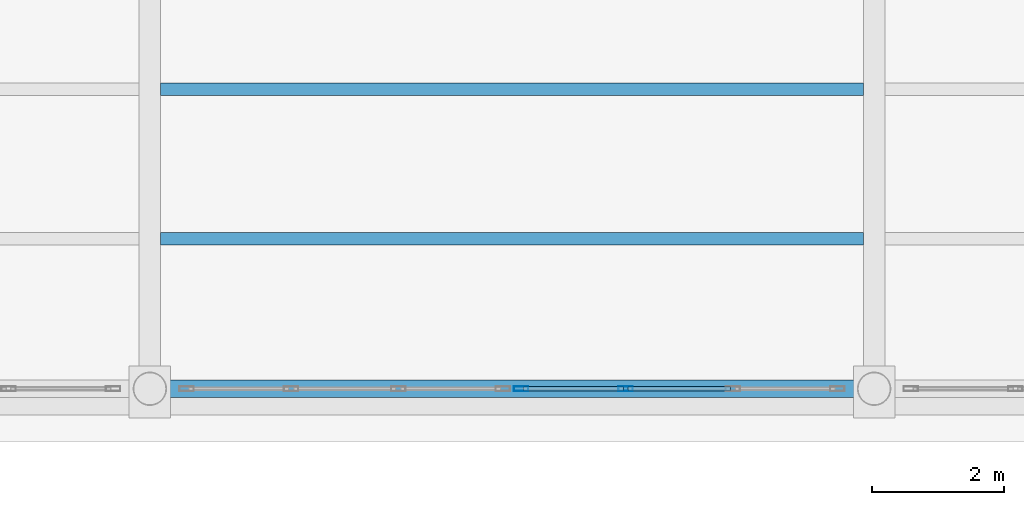
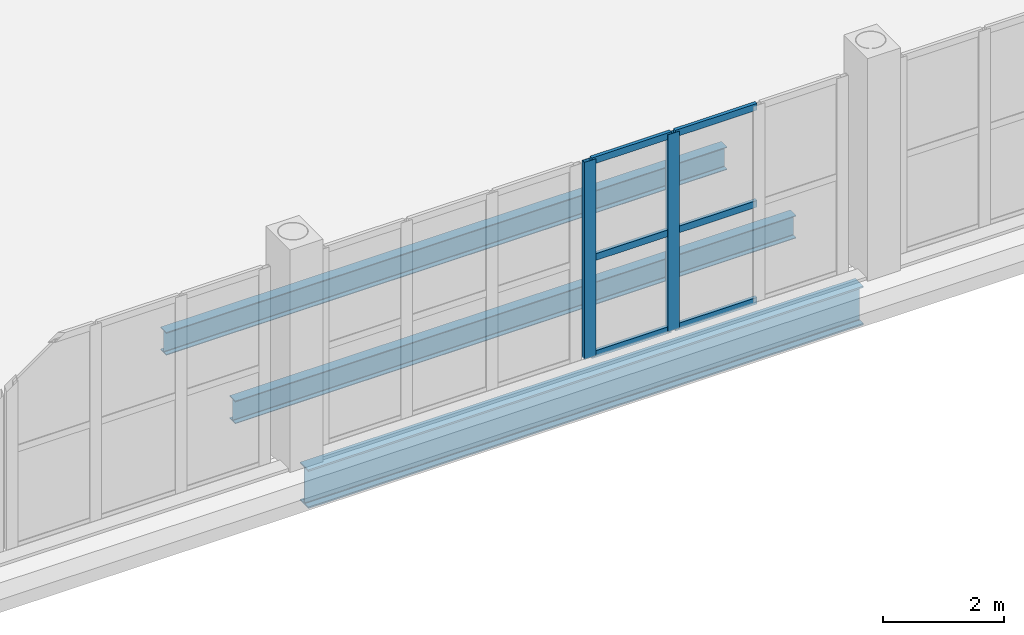
# One storey, part 21 of 156: 8 members, 3 beams, 1 element without a shape of its own.
"""IFC4 building model written with IfcOpenShell, lengths in metres."""

from ifc_helpers import new_model, si_unit, direction, frame, origin, origin_2d, place, context, subcontext, project, spatial, hollow_rectangle, i_section, extrude, material, material_profile, profile_set, type_object, element, aggregate, save


model = new_model("IFC4")

# Units and contexts
model_context = context("Model", 3, precision=1e-05, world=origin(), true_north=direction((0.0, 1.0)))
body_context = subcontext(model_context, "Body", "Model", "MODEL_VIEW")
ifc_project = project(units=[si_unit("LENGTHUNIT", "METRE"), si_unit("AREAUNIT", "SQUARE_METRE"), si_unit("VOLUMEUNIT", "CUBIC_METRE"), si_unit("PLANEANGLEUNIT", "RADIAN"), si_unit("MASSUNIT", "GRAM", prefix="KILO")], contexts=[model_context])

# Site, building, storey
site_placement = place(None, origin())
site = spatial("IfcSite", under=ifc_project, at=site_placement, CompositionType="ELEMENT")
building_placement = place(site_placement, origin())
building = spatial("IfcBuilding", under=site, at=building_placement, Name="Caurita Quay Ferry Terminal", CompositionType="ELEMENT")
storey_placement = place(building_placement, frame((0.0, 0.0, 5.39990234375)))
storey = spatial("IfcBuildingStorey", under=building, at=storey_placement, Name="L01", CompositionType="ELEMENT", Elevation=5.39990234375)

# Beams
ifc_material_1 = material(Name="Structural steel ASTM A992 Gr. 50", Category="steel")
ifc_material_profile_1 = material_profile(ifc_material_1, i_section(OverallWidth=0.2666015625, OverallDepth=0.77978515625, WebThickness=0.0166015625, FlangeThickness=0.030029296875, FilletRadius=0.01904296875, at=origin_2d()), Name="W30X148")
ifc_profile_set_1 = profile_set([ifc_material_profile_1], Name="Structural steel ASTM A992 Gr. 50")
beam_type_1 = type_object("IfcBeamType", Name="BM-GR-W30A", PredefinedType="BEAM", material=ifc_profile_set_1)
beam_placement = place(storey_placement, frame((22.2158203125, 34.60009765625, -0.689697265625), z_axis=(1.0, 0.0, 0.0), x_axis=(0.0, 1.0, 0.0)))
element("IfcBeam", 1, at=beam_placement, inside=storey, type_object=beam_type_1, Name="L01 Beam BM-V1-L01-X-222-346", PredefinedType="BEAM", context=body_context, shape_type="SweptSolid", body=[
    extrude(i_section(OverallWidth=0.2666015625, OverallDepth=0.77978515625, WebThickness=0.0166015625, FlangeThickness=0.030029296875, FilletRadius=0.01904296875, at=origin_2d()), origin(), (0.0, 0.0, 1.0), 10.568359375),
])
ifc_material_profile_2 = material_profile(ifc_material_1, i_section(OverallWidth=0.1904296875, OverallDepth=0.457275390625, WebThickness=0.009033203125, FlangeThickness=0.014404296875, FilletRadius=0.0126953125, at=origin_2d()), Name="W18X50")
ifc_profile_set_2 = profile_set([ifc_material_profile_2], Name="Structural steel ASTM A992 Gr. 50")
beam_type_2 = type_object("IfcBeamType", Name="BM-JS-W18B", PredefinedType="JOIST", material=ifc_profile_set_2)
for number, where, z_axis, x_axis, name in (
    (2, (22.16259765625, 36.875, -0.528564453125), (1.0, 0.0, 0.0), (0.0, 1.0, 0.0), "L01 Beam JS-V1-L01-020"),
    (3, (22.16259765625, 39.14990234375, -0.528564453125), (1.0, 0.0, 0.0), (0.0, 1.0, 0.0), "L01 Beam JS-V1-L01-021"),
):
    element("IfcBeam", number, at=place(storey_placement, frame(where, z_axis=z_axis, x_axis=x_axis)), inside=storey, type_object=beam_type_2, Name=name, PredefinedType="JOIST", context=body_context, shape_type="SweptSolid", body=[
        extrude(i_section(OverallWidth=0.1904296875, OverallDepth=0.457275390625, WebThickness=0.009033203125, FlangeThickness=0.014404296875, FilletRadius=0.0126953125, at=origin_2d()), origin(), (0.0, 0.0, 1.0), 10.6748046875),
    ])

# Curtain wall, members
ifc_material_2 = material(Name="Laminated solar-control insulated glass", Category="glass")
curtain_wall_type = type_object("IfcCurtainWallType", Name="CW-SYS-08", PredefinedType="NOTDEFINED", material=ifc_material_2)
curtain_wall_placement = place(storey_placement, origin())
curtain_wall = element("IfcCurtainWall", 4, at=curtain_wall_placement, inside=storey, type_object=curtain_wall_type, Name="V1 Waterside Concourse Curtain Wall 054", PredefinedType="NOTDEFINED")
ifc_material_3 = material(Name="Anodized aluminium 6063-T6", Category="aluminium")
ifc_material_profile_3 = material_profile(ifc_material_3, hollow_rectangle(XDim=0.074951171875, YDim=0.219970703125, WallThickness=0.00390625, at=origin_2d()), Name="ALU-MUL-75X220")
ifc_profile_set_3 = profile_set([ifc_material_profile_3], Name="Anodized aluminium 6063-T6")
member_type_1 = type_object("IfcMemberType", Name="CW-MUL-220", PredefinedType="MULLION", material=ifc_profile_set_3)
member_1_placement = place(storey_placement, frame((27.637451171875, 34.60009765625, 0.0), z_axis=(0.0, 0.0, 1.0), x_axis=(0.0, 1.0, 0.0)))
member_1 = element("IfcMember", 5, at=member_1_placement, type_object=member_type_1, Name="CW-SEA-054 Mullion 1", PredefinedType="MULLION", context=body_context, shape_type="SweptSolid", body=[
    extrude(hollow_rectangle(XDim=0.074951171875, YDim=0.219970703125, WallThickness=0.00390625, at=origin_2d()), origin(), (0.0, 0.0, 1.0), 3.97021484375),
])
member_2_placement = place(storey_placement, frame((29.226806640625, 34.60009765625, 0.0), z_axis=(0.0, 0.0, 1.0), x_axis=(0.0, 1.0, 0.0)))
member_2 = element("IfcMember", 6, at=member_2_placement, type_object=member_type_1, Name="CW-SEA-054 Mullion 2", PredefinedType="MULLION", context=body_context, shape_type="SweptSolid", body=[
    extrude(hollow_rectangle(XDim=0.074951171875, YDim=0.219970703125, WallThickness=0.00390625, at=origin_2d()), origin(), (0.0, 0.0, 1.0), 3.97021484375),
])
ifc_material_profile_4 = material_profile(ifc_material_3, hollow_rectangle(XDim=0.06494140625, YDim=0.135009765625, WallThickness=0.00341796875, at=origin_2d()), Name="ALU-TRN-65X135")
ifc_profile_set_4 = profile_set([ifc_material_profile_4], Name="Anodized aluminium 6063-T6")
member_type_2 = type_object("IfcMemberType", Name="CW-TRN-135", PredefinedType="USERDEFINED", material=ifc_profile_set_4)
member_3_placement = place(storey_placement, frame((27.673095703125, 34.60009765625, 0.03271484375), z_axis=(1.0, 0.0, 0.0), x_axis=(0.0, 1.0, 0.0)))
member_3 = element("IfcMember", 7, at=member_3_placement, type_object=member_type_2, Name="CW-SEA-054 Transom 1", ObjectType="TRANSOM", PredefinedType="USERDEFINED", context=body_context, shape_type="SweptSolid", body=[
    extrude(hollow_rectangle(XDim=0.06494140625, YDim=0.135009765625, WallThickness=0.00341796875, at=origin_2d()), origin(), (0.0, 0.0, 1.0), 1.51806640625),
])
member_4_placement = place(storey_placement, frame((27.673095703125, 34.60009765625, 1.985107421875), z_axis=(1.0, 0.0, 0.0), x_axis=(0.0, 1.0, 0.0)))
member_4 = element("IfcMember", 8, at=member_4_placement, type_object=member_type_2, Name="CW-SEA-054 Transom 2", ObjectType="TRANSOM", PredefinedType="USERDEFINED", context=body_context, shape_type="SweptSolid", body=[
    extrude(hollow_rectangle(XDim=0.06494140625, YDim=0.135009765625, WallThickness=0.00341796875, at=origin_2d()), origin(), (0.0, 0.0, 1.0), 1.51806640625),
])
member_5_placement = place(storey_placement, frame((27.673095703125, 34.60009765625, 3.9375), z_axis=(1.0, 0.0, 0.0), x_axis=(0.0, 1.0, 0.0)))
member_5 = element("IfcMember", 9, at=member_5_placement, type_object=member_type_2, Name="CW-SEA-054 Transom 3", ObjectType="TRANSOM", PredefinedType="USERDEFINED", context=body_context, shape_type="SweptSolid", body=[
    extrude(hollow_rectangle(XDim=0.06494140625, YDim=0.135009765625, WallThickness=0.00341796875, at=origin_2d()), origin(), (0.0, 0.0, 1.0), 1.51806640625),
])
member_6_placement = place(storey_placement, frame((29.26220703125, 34.60009765625, 0.03271484375), z_axis=(1.0, 0.0, 0.0), x_axis=(0.0, 1.0, 0.0)))
member_6 = element("IfcMember", 10, at=member_6_placement, type_object=member_type_2, Name="CW-SEA-054 Transom 4", ObjectType="TRANSOM", PredefinedType="USERDEFINED", context=body_context, shape_type="SweptSolid", body=[
    extrude(hollow_rectangle(XDim=0.06494140625, YDim=0.135009765625, WallThickness=0.00341796875, at=origin_2d()), origin(), (0.0, 0.0, 1.0), 1.5556640625),
])
member_7_placement = place(storey_placement, frame((29.26220703125, 34.60009765625, 1.985107421875), z_axis=(1.0, 0.0, 0.0), x_axis=(0.0, 1.0, 0.0)))
member_7 = element("IfcMember", 11, at=member_7_placement, type_object=member_type_2, Name="CW-SEA-054 Transom 5", ObjectType="TRANSOM", PredefinedType="USERDEFINED", context=body_context, shape_type="SweptSolid", body=[
    extrude(hollow_rectangle(XDim=0.06494140625, YDim=0.135009765625, WallThickness=0.00341796875, at=origin_2d()), origin(), (0.0, 0.0, 1.0), 1.5556640625),
])
member_8_placement = place(storey_placement, frame((29.26220703125, 34.60009765625, 3.9375), z_axis=(1.0, 0.0, 0.0), x_axis=(0.0, 1.0, 0.0)))
member_8 = element("IfcMember", 12, at=member_8_placement, type_object=member_type_2, Name="CW-SEA-054 Transom 6", ObjectType="TRANSOM", PredefinedType="USERDEFINED", context=body_context, shape_type="SweptSolid", body=[
    extrude(hollow_rectangle(XDim=0.06494140625, YDim=0.135009765625, WallThickness=0.00341796875, at=origin_2d()), origin(), (0.0, 0.0, 1.0), 1.5556640625),
])
aggregate(curtain_wall, [member_1, member_2, member_3, member_4, member_5, member_6, member_7, member_8])

save(model, "model.ifc")
